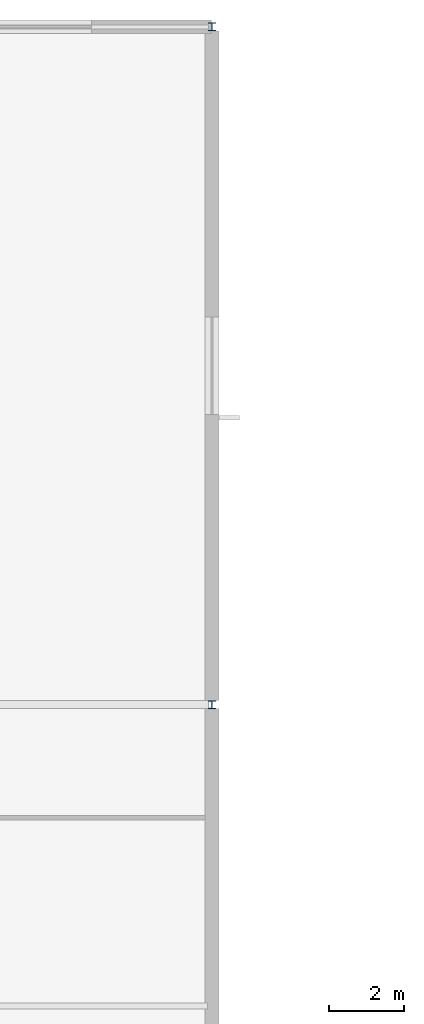
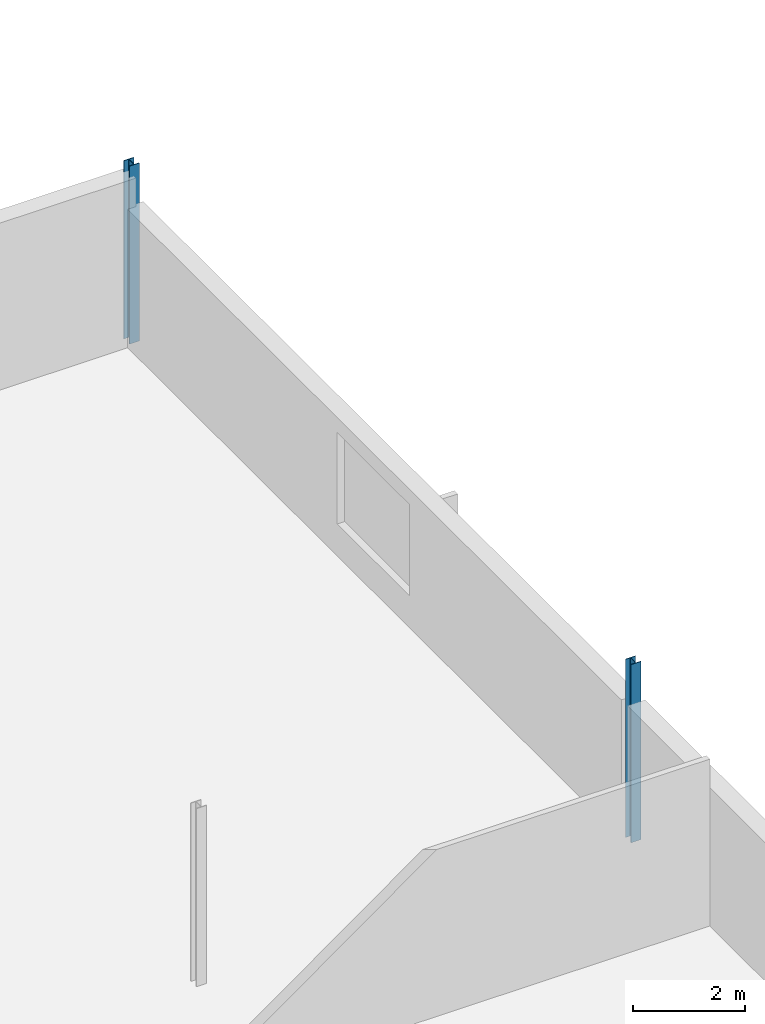
# One storey, part 8 of 35: 2 columns.
"""IFC4 building model written with IfcOpenShell, lengths in metres."""

import ifcopenshell
import ifcopenshell.guid

model = None  # the IFC model being written
_history = None  # IfcOwnerHistory: only IFC2X3 demands one
_inside = {}  # id of a spatial element -> (the spatial element, [elements in it])
_under = {}  # id of a project, library or spatial element -> (it, [spatial elements below it])
_declared = {}  # id of a project -> (the project, [libraries it declares])
_typed = {}  # id of a type object -> (the type object, [elements of that type])
_made_of = {}  # id of a material, layer set ... -> (it, [elements and type objects made of it])


def new_model(schema):
    """Start an empty IFC model of exactly this schema.

    Asked for "IFC4X3", IfcOpenShell would pick the latest addendum, in which some entities
    have other attributes; the version numbers below select the first issue.
    IFC2X3 requires an IfcOwnerHistory on every rooted entity: one is made here for all.
    """
    global model, _history
    if schema == "IFC4X3":
        model = ifcopenshell.file(schema_version=(4, 3, 0, 0))
    else:
        model = ifcopenshell.file(schema=schema)
    _inside.clear()
    _under.clear()
    _declared.clear()
    _typed.clear()
    _made_of.clear()
    _history = None
    if model.schema == "IFC2X3":
        org = make("IfcOrganization", Name="unknown")
        user = make(
            "IfcPersonAndOrganization",
            ThePerson=make("IfcPerson", FamilyName="unknown"),
            TheOrganization=org,
        )
        app = make(
            "IfcApplication",
            ApplicationDeveloper=org,
            Version="unknown",
            ApplicationFullName="unknown",
            ApplicationIdentifier="unknown",
        )
        _history = make(
            "IfcOwnerHistory",
            OwningUser=user,
            OwningApplication=app,
            ChangeAction="ADDED",
            CreationDate=0,
        )
    return model


def make(cls, **values):
    """One entity of the class cls with the attributes given. An attribute that is None is left unset."""
    return model.create_entity(
        cls, **{name: value for name, value in values.items() if value is not None}
    )


def rooted(cls, **values):
    """An entity with a GlobalId (a new one), such as an element, a storey or a relation."""
    return make(cls, GlobalId=ifcopenshell.guid.new(), OwnerHistory=_history, **values)


def si_unit(unit_type, name, prefix=None):
    """IfcSIUnit, for example si_unit("LENGTHUNIT", "METRE", prefix="MILLI")."""
    return make("IfcSIUnit", UnitType=unit_type, Prefix=prefix, Name=name)


def assignment(units):
    """IfcUnitAssignment: the units of a project."""
    return None if units is None else make("IfcUnitAssignment", Units=units)


def point(xyz):
    """IfcCartesianPoint."""
    return None if xyz is None else make("IfcCartesianPoint", Coordinates=xyz)


def direction(xyz):
    """IfcDirection."""
    return None if xyz is None else make("IfcDirection", DirectionRatios=xyz)


def frame(location, z_axis=None, x_axis=None):
    """IfcAxis2Placement3D, a coordinate frame: its origin and axes. An axis left out is left unset."""
    return make(
        "IfcAxis2Placement3D",
        Location=point(location),
        Axis=direction(z_axis),
        RefDirection=direction(x_axis),
    )


def frame_2d(location, x_axis=None):
    """IfcAxis2Placement2D, a coordinate frame in the plane: its origin and x axis."""
    return make(
        "IfcAxis2Placement2D", Location=point(location), RefDirection=direction(x_axis)
    )


def origin():
    """The frame at (0, 0, 0) with its axes left unset."""
    return frame((0.0, 0.0, 0.0))


def origin_2d():
    """The frame at (0, 0) in the plane with its x axis left unset."""
    return frame_2d((0.0, 0.0))


def place(relative_to, where):
    """IfcLocalPlacement: puts the frame where relative to a parent placement (None: the world)."""
    return make(
        "IfcLocalPlacement", PlacementRelTo=relative_to, RelativePlacement=where
    )


def context(
    kind, dimensions, precision=None, world=None, true_north=None, identifier=None
):
    """IfcGeometricRepresentationContext, for example the 3D "Model" context."""
    return make(
        "IfcGeometricRepresentationContext",
        ContextIdentifier=identifier,
        ContextType=kind,
        CoordinateSpaceDimension=dimensions,
        Precision=precision,
        WorldCoordinateSystem=world,
        TrueNorth=true_north,
    )


def subcontext(parent, identifier, kind, view, scale=None):
    """IfcGeometricRepresentationSubContext, for example "Body" below "Model"."""
    return make(
        "IfcGeometricRepresentationSubContext",
        ContextIdentifier=identifier,
        ContextType=kind,
        ParentContext=parent,
        TargetScale=scale,
        TargetView=view,
    )


def project(units=None, contexts=None):
    """IfcProject with its units and contexts."""
    return rooted(
        "IfcProject",
        Name="project",
        RepresentationContexts=contexts,
        UnitsInContext=assignment(units),
    )


def spatial(cls, under=None, at=None, **own):
    """A site, building, storey or space (cls), placed at a placement, below another one or the project."""
    s = rooted(cls, ObjectPlacement=at, **own)
    if under is not None:
        _under.setdefault(under.id(), (under, []))[1].append(s)
    return s


def profile(cls, at=None, kind="AREA", **sizes):
    """A parametric profile (cls). Its sizes go by their IFC names, for example OverallWidth=200.0."""
    return make(cls, ProfileType=kind, Position=at, **sizes)


def i_section(**sizes):
    """IfcIShapeProfileDef."""
    return profile("IfcIShapeProfileDef", **sizes)


def extrude(swept, where, along, depth):
    """IfcExtrudedAreaSolid: the profile swept, set in the frame where, extruded along a direction by depth."""
    return make(
        "IfcExtrudedAreaSolid",
        SweptArea=swept,
        Position=where,
        ExtrudedDirection=direction(along),
        Depth=depth,
    )


def shape(context_of_items, identifier, shape_type, items):
    """IfcShapeRepresentation: the items that make up one representation, for example the "Body"."""
    return make(
        "IfcShapeRepresentation",
        ContextOfItems=context_of_items,
        RepresentationIdentifier=identifier,
        RepresentationType=shape_type,
        Items=items,
    )


def material(Name=None, Category=None):
    """IfcMaterial."""
    return make("IfcMaterial", Name=Name, Category=Category)


def material_profile(
    of_material, cross_section, Name=None, Category=None, Priority=None
):
    """IfcMaterialProfile: a cross section and its material."""
    return make(
        "IfcMaterialProfile",
        Name=Name,
        Material=of_material,
        Profile=cross_section,
        Priority=Priority,
        Category=Category,
    )


def profile_set(profiles, Name=None, composite=None):
    """IfcMaterialProfileSet."""
    return make(
        "IfcMaterialProfileSet",
        Name=Name,
        MaterialProfiles=profiles,
        CompositeProfile=composite,
    )


def made_of(thing, what):
    """Note that an element or type object is made of a material, layer set ...; save() writes the relation."""
    if what is not None:
        _made_of.setdefault(what.id(), (what, []))[1].append(thing)
    return thing


def type_object(cls, material=None, **own):
    """A type object (cls), such as IfcWallType, which elements share."""
    return made_of(rooted(cls, **own), material)


def element(
    cls,
    number,
    at=None,
    inside=None,
    cuts=None,
    type_object=None,
    material=None,
    context=None,
    identifier="Body",
    shape_type=None,
    held_by="IfcProductDefinitionShape",
    body=None,
    shapes=None,
    **own,
):
    """One element of the class cls, such as IfcWall. Its Tag is "e" and its number.

    at: its placement. inside: the storey or other place that contains it. cuts: it is an
    opening in that element (IfcRelVoidsElement). A single representation is given by context,
    identifier, shape_type and body (its items); several are given by shapes. held_by: the class
    of the entity that holds the representations. save() writes the other relations.
    """
    e = rooted(cls, Tag="e%d" % number, ObjectPlacement=at, **own)
    if body is not None:
        shapes = [shape(context, identifier, shape_type, body)]
    if shapes is not None:
        e.Representation = make(held_by, Representations=shapes)
    if inside is not None:
        _inside.setdefault(inside.id(), (inside, []))[1].append(e)
    if cuts is not None:
        rooted(
            "IfcRelVoidsElement", RelatingBuildingElement=cuts, RelatedOpeningElement=e
        )
    if type_object is not None:
        _typed.setdefault(type_object.id(), (type_object, []))[1].append(e)
    return made_of(e, material)


def aggregate(whole, parts):
    """IfcRelAggregates: a whole, such as a stair, and the parts it consists of."""
    return rooted("IfcRelAggregates", RelatingObject=whole, RelatedObjects=parts)


def save(model, path):
    """Write the relations noted so far, then the file.

    IfcRelAggregates (storeys below a building ...), IfcRelContainedInSpatialStructure (elements
    in a storey), IfcRelDefinesByType, IfcRelAssociatesMaterial and IfcRelDeclares: one each for
    every whole, place, type object, material and project.
    """
    for whole, parts in _under.values():
        aggregate(whole, parts)
    for where, things in _inside.values():
        rooted(
            "IfcRelContainedInSpatialStructure",
            RelatedElements=things,
            RelatingStructure=where,
        )
    for kind, things in _typed.values():
        rooted("IfcRelDefinesByType", RelatedObjects=things, RelatingType=kind)
    for what, things in _made_of.values():
        rooted("IfcRelAssociatesMaterial", RelatedObjects=things, RelatingMaterial=what)
    for by, libraries in _declared.values():
        rooted("IfcRelDeclares", RelatingContext=by, RelatedDefinitions=libraries)
    model.write(path)


model = new_model("IFC4")

# Units and contexts
model_context = context("Model", 3, precision=1e-05, world=origin(), true_north=direction((0.0, 1.0)))
body_context = subcontext(model_context, "Body", "Model", "MODEL_VIEW")
ifc_project = project(units=[si_unit("LENGTHUNIT", "METRE"), si_unit("AREAUNIT", "SQUARE_METRE"), si_unit("VOLUMEUNIT", "CUBIC_METRE"), si_unit("PLANEANGLEUNIT", "RADIAN"), si_unit("MASSUNIT", "GRAM", prefix="KILO")], contexts=[model_context])

# Site, building, storey
site_placement = place(None, origin())
site = spatial("IfcSite", under=ifc_project, at=site_placement, CompositionType="ELEMENT")
building_placement = place(site_placement, origin())
building = spatial("IfcBuilding", under=site, at=building_placement, Name="Kisiwana Market Hall", CompositionType="ELEMENT")
storey_placement = place(building_placement, frame((0.0, 0.0, 61.800048828125)))
storey = spatial("IfcBuildingStorey", under=building, at=storey_placement, Name="L14", CompositionType="ELEMENT", Elevation=61.800048828125)

# Columns
ifc_material = material(Name="Steel S355", Category="steel")
ifc_material_profile = material_profile(ifc_material, i_section(OverallWidth=0.205810546875, OverallDepth=0.209716796875, WebThickness=0.009521484375, FlangeThickness=0.01416015625, FilletRadius=0.01025390625, at=origin_2d()), Name="UC 203x203x60")
ifc_profile_set = profile_set([ifc_material_profile], Name="Steel S355")
column_type = type_object("IfcColumnType", Name="COL-STL-UC060", PredefinedType="COLUMN", material=ifc_profile_set)
for number, where, z_axis, x_axis, name in (
    (1, (36.0, 84.0, 0.0), (0.0, 0.0, 1.0), (1.0, 0.0, 0.0), "Column L/5 (L14) C-1458"),
    (2, (36.0, 102.0, 0.0), (0.0, 0.0, 1.0), (1.0, 0.0, 0.0), "Column N/5 (L14) C-1459"),
):
    element("IfcColumn", number, at=place(storey_placement, frame(where, z_axis=z_axis, x_axis=x_axis)), inside=storey, type_object=column_type, Name=name, PredefinedType="COLUMN", context=body_context, shape_type="SweptSolid", body=[
        extrude(i_section(OverallWidth=0.205810546875, OverallDepth=0.209716796875, WebThickness=0.009521484375, FlangeThickness=0.01416015625, FilletRadius=0.01025390625, at=origin_2d()), origin(), (0.0, 0.0, 1.0), 3.89990234375),
    ])

save(model, "model.ifc")
